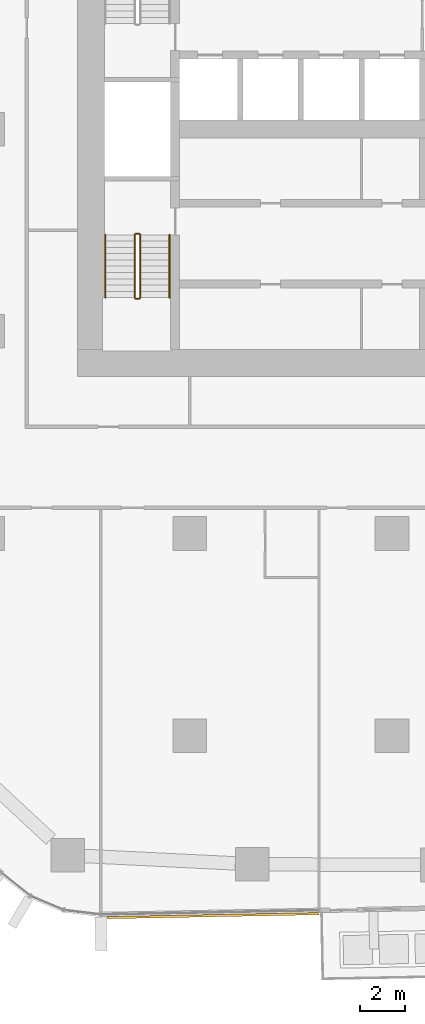
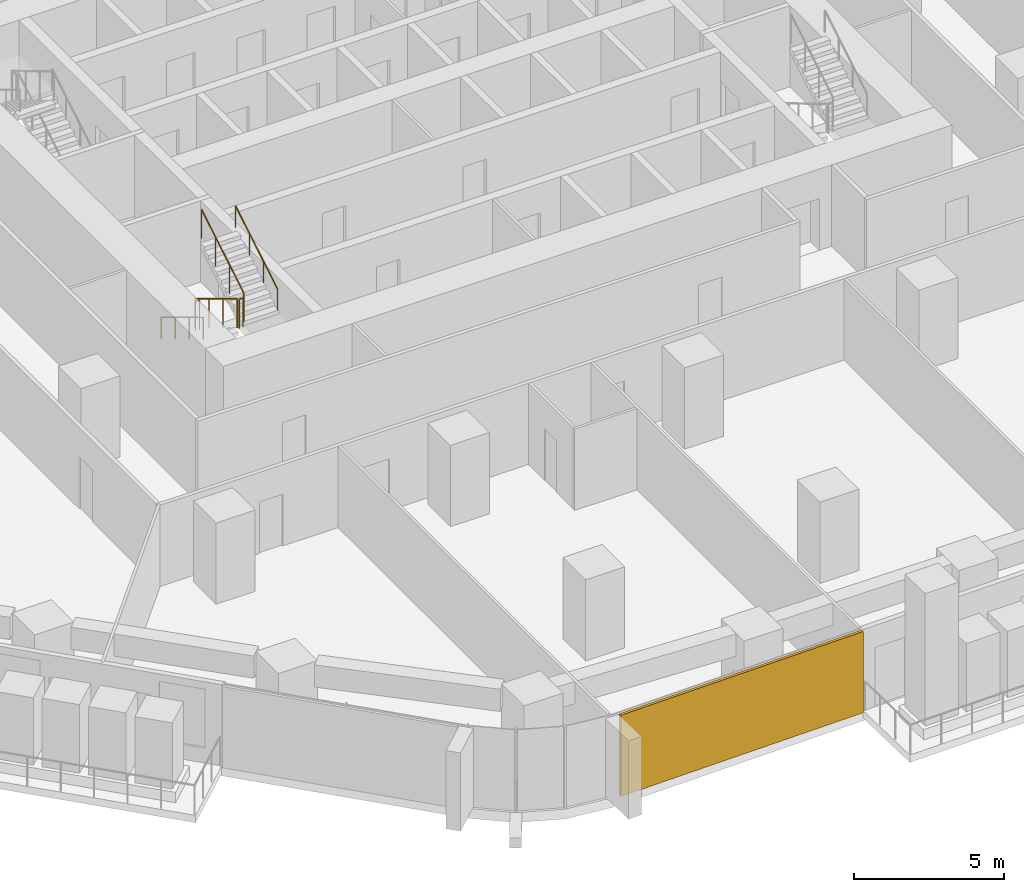
# One storey, part 20 of 25: 6 railings, 1 covering, 1 element without a shape of its own.
"""IFC4 building model written with IfcOpenShell, lengths in metres."""

from ifc_helpers import new_model, si_unit, direction, frame, origin, origin_2d, place, context, subcontext, project, spatial, rectangle, circle, extrude, material, layer, layer_set, type_object, element, aggregate, save


model = new_model("IFC4")

# Units and contexts
model_context = context("Model", 3, precision=1e-05, world=origin(), true_north=direction((0.0, 1.0)))
body_context = subcontext(model_context, "Body", "Model", "MODEL_VIEW")
ifc_project = project(units=[si_unit("LENGTHUNIT", "METRE"), si_unit("AREAUNIT", "SQUARE_METRE"), si_unit("VOLUMEUNIT", "CUBIC_METRE"), si_unit("PLANEANGLEUNIT", "RADIAN"), si_unit("MASSUNIT", "GRAM", prefix="KILO")], contexts=[model_context])

# Site, building, storey
site_placement = place(None, origin())
site = spatial("IfcSite", under=ifc_project, at=site_placement, CompositionType="ELEMENT")
building_placement = place(site_placement, origin())
building = spatial("IfcBuilding", under=site, at=building_placement, Name="Dongbaek Canopy Tower", CompositionType="ELEMENT")
storey_placement = place(building_placement, frame((0.0, 0.0, 81.0)))
storey = spatial("IfcBuildingStorey", under=building, at=storey_placement, Name="L16", CompositionType="ELEMENT", Elevation=81.0)

# Curtain wall, covering
ifc_material_1 = material(Name="Aluminium 6063-T6 pale anodised", Category="aluminium")
ifc_layer_1 = layer(ifc_material_1, 0.199951171875)
ifc_layer_set_1 = layer_set([ifc_layer_1], Name="CW-1 unitised tower curtain wall")
curtain_wall_type = type_object("IfcCurtainWallType", Name="CW-1 unitised tower curtain wall", PredefinedType="NOTDEFINED", material=ifc_layer_set_1)
curtain_wall_placement = place(storey_placement, origin())
curtain_wall = element("IfcCurtainWall", 1, at=curtain_wall_placement, inside=storey, type_object=curtain_wall_type, Name="CW-1 curtain wall F4.1", PredefinedType="NOTDEFINED")
ifc_material_2 = material(Name="Perforated aluminium 6063-T6 pale metal screen", Category="aluminium")
ifc_layer_2 = layer(ifc_material_2, 0.10009765625)
ifc_layer_set_2 = layer_set([ifc_layer_2], Name="Facet screen FS1 100 pale metal")
covering_type = type_object("IfcCoveringType", Name="Facet screen FS1 100 pale metal", PredefinedType="CLADDING", material=ifc_layer_set_2)
covering_placement = place(storey_placement, frame((-7.95654296875, -35.0068359375, 0.0), z_axis=(0.0, 0.0, 1.0), x_axis=(0.999820406173, 0.018951395748, 0.0)))
covering = element("IfcCovering", 2, at=covering_placement, type_object=covering_type, Name="Facet screen L16 F4", PredefinedType="CLADDING", context=body_context, shape_type="SweptSolid", body=[
    extrude(rectangle(XDim=9.43017578125, YDim=0.10009765625, at=origin_2d()), origin(), (0.0, 0.0, 1.0), 3.300048828125),
])
aggregate(curtain_wall, [covering])

# Railings
ifc_material_3 = material(Name="Stainless steel tube and balusters", Category="steel")
railing_type_1 = type_object("IfcRailingType", Name="Stair guard 1200", PredefinedType="GUARDRAIL", material=ifc_material_3)
railing_1_placement = place(storey_placement, frame((-11.449951171875, -4.699951171875, 0.168212890625)))
element("IfcRailing", 3, at=railing_1_placement, inside=storey, type_object=railing_type_1, Name="L16 ST-D stair guard 1", PredefinedType="GUARDRAIL", context=body_context, shape_type="SweptSolid", body=[
    extrude(circle(Radius=0.02392578125, at=origin_2d()), frame((0.0, 0.0, 1.17578125), z_axis=(0.0, -0.857242210791, 0.514913383045), x_axis=(1.0, 0.0, 0.0)), (0.0, 0.0, 1.0), 3.266357421875),
    extrude(circle(Radius=0.02099609375, at=origin_2d()), origin(), (0.0, 0.0, 1.0), 1.15185546875),
    extrude(circle(Radius=0.02099609375, at=origin_2d()), frame((0.0, -0.933349609375, 0.560546875)), (0.0, 0.0, 1.0), 1.15185546875),
    extrude(circle(Radius=0.02099609375, at=origin_2d()), frame((0.0, -1.86669921875, 1.121337890625)), (0.0, 0.0, 1.0), 1.15185546875),
    extrude(circle(Radius=0.02099609375, at=origin_2d()), frame((0.0, -2.800048828125, 1.681884765625)), (0.0, 0.0, 1.0), 1.15185546875),
])
railing_2_placement = place(storey_placement, frame((-11.39990234375, -7.550048828125, 1.85009765625)))
element("IfcRailing", 4, at=railing_2_placement, inside=storey, type_object=railing_type_1, Name="L16 ST-D stair guard 2", PredefinedType="GUARDRAIL", context=body_context, shape_type="SweptSolid", body=[
    extrude(circle(Radius=0.02392578125, at=origin_2d()), frame((0.0, 0.0, 1.17578125), z_axis=(1.0, 0.0, 0.0), x_axis=(0.0, 1.0, 0.0)), (0.0, 0.0, 1.0), 0.14990234375),
    extrude(circle(Radius=0.02099609375, at=origin_2d()), origin(), (0.0, 0.0, 1.0), 1.15185546875),
    extrude(circle(Radius=0.02099609375, at=origin_2d()), frame((0.14990234375, 0.0, 0.0)), (0.0, 0.0, 1.0), 1.15185546875),
])
railing_3_placement = place(storey_placement, frame((-11.199951171875, -7.5, 2.01806640625)))
element("IfcRailing", 5, at=railing_3_placement, inside=storey, type_object=railing_type_1, Name="L16 ST-D stair guard 3", PredefinedType="GUARDRAIL", context=body_context, shape_type="SweptSolid", body=[
    extrude(circle(Radius=0.02392578125, at=origin_2d()), frame((0.0, 0.0, 1.17578125), z_axis=(0.0, 0.857242210791, 0.514913383045), x_axis=(-1.0, 0.0, 0.0)), (0.0, 0.0, 1.0), 3.266357421875),
    extrude(circle(Radius=0.02099609375, at=origin_2d()), origin(), (0.0, 0.0, 1.0), 1.15185546875),
    extrude(circle(Radius=0.02099609375, at=origin_2d()), frame((0.0, 0.933349609375, 0.560546875)), (0.0, 0.0, 1.0), 1.15185546875),
    extrude(circle(Radius=0.02099609375, at=origin_2d()), frame((0.0, 1.86669921875, 1.121337890625)), (0.0, 0.0, 1.0), 1.15185546875),
    extrude(circle(Radius=0.02099609375, at=origin_2d()), frame((0.0, 2.800048828125, 1.681884765625)), (0.0, 0.0, 1.0), 1.15185546875),
])
railing_4_placement = place(storey_placement, frame((-11.39990234375, -4.64990234375, 0.0)))
element("IfcRailing", 6, at=railing_4_placement, inside=storey, type_object=railing_type_1, Name="L16 ST-D stair guard 4", PredefinedType="GUARDRAIL", context=body_context, shape_type="SweptSolid", body=[
    extrude(circle(Radius=0.02392578125, at=origin_2d()), frame((0.0, 0.0, 1.17578125), z_axis=(1.0, 0.0, 0.0), x_axis=(0.0, 1.0, 0.0)), (0.0, 0.0, 1.0), 0.14990234375),
    extrude(circle(Radius=0.02099609375, at=origin_2d()), origin(), (0.0, 0.0, 1.0), 1.15185546875),
    extrude(circle(Radius=0.02099609375, at=origin_2d()), frame((0.14990234375, 0.0, 0.0)), (0.0, 0.0, 1.0), 1.15185546875),
])
ifc_material_4 = material(Name="Stainless steel tube", Category="steel")
railing_type_2 = type_object("IfcRailingType", Name="Stair handrail 900", PredefinedType="HANDRAIL", material=ifc_material_4)
railing_5_placement = place(storey_placement, frame((-12.75, -4.699951171875, 0.168212890625)))
element("IfcRailing", 7, at=railing_5_placement, inside=storey, type_object=railing_type_2, Name="L16 ST-D stair handrail 1", PredefinedType="HANDRAIL", context=body_context, shape_type="SweptSolid", body=[
    extrude(circle(Radius=0.02392578125, at=origin_2d()), frame((0.0, 0.0, 0.8759765625), z_axis=(0.0, -0.857242210791, 0.514913383045), x_axis=(1.0, 0.0, 0.0)), (0.0, 0.0, 1.0), 3.266357421875),
    extrude(circle(Radius=0.02099609375, at=origin_2d()), origin(), (0.0, 0.0, 1.0), 0.851806640625),
    extrude(circle(Radius=0.02099609375, at=origin_2d()), frame((0.0, -0.933349609375, 0.560546875)), (0.0, 0.0, 1.0), 0.851806640625),
    extrude(circle(Radius=0.02099609375, at=origin_2d()), frame((0.0, -1.86669921875, 1.121337890625)), (0.0, 0.0, 1.0), 0.851806640625),
    extrude(circle(Radius=0.02099609375, at=origin_2d()), frame((0.0, -2.800048828125, 1.681884765625)), (0.0, 0.0, 1.0), 0.851806640625),
])
railing_6_placement = place(storey_placement, frame((-9.89990234375, -7.5, 2.01806640625)))
element("IfcRailing", 8, at=railing_6_placement, inside=storey, type_object=railing_type_2, Name="L16 ST-D stair handrail 2", PredefinedType="HANDRAIL", context=body_context, shape_type="SweptSolid", body=[
    extrude(circle(Radius=0.02392578125, at=origin_2d()), frame((0.0, 0.0, 0.8759765625), z_axis=(0.0, 0.857242210791, 0.514913383045), x_axis=(-1.0, 0.0, 0.0)), (0.0, 0.0, 1.0), 3.266357421875),
    extrude(circle(Radius=0.02099609375, at=origin_2d()), origin(), (0.0, 0.0, 1.0), 0.851806640625),
    extrude(circle(Radius=0.02099609375, at=origin_2d()), frame((0.0, 0.933349609375, 0.560546875)), (0.0, 0.0, 1.0), 0.851806640625),
    extrude(circle(Radius=0.02099609375, at=origin_2d()), frame((0.0, 1.86669921875, 1.121337890625)), (0.0, 0.0, 1.0), 0.851806640625),
    extrude(circle(Radius=0.02099609375, at=origin_2d()), frame((0.0, 2.800048828125, 1.681884765625)), (0.0, 0.0, 1.0), 0.851806640625),
])

save(model, "model.ifc")
